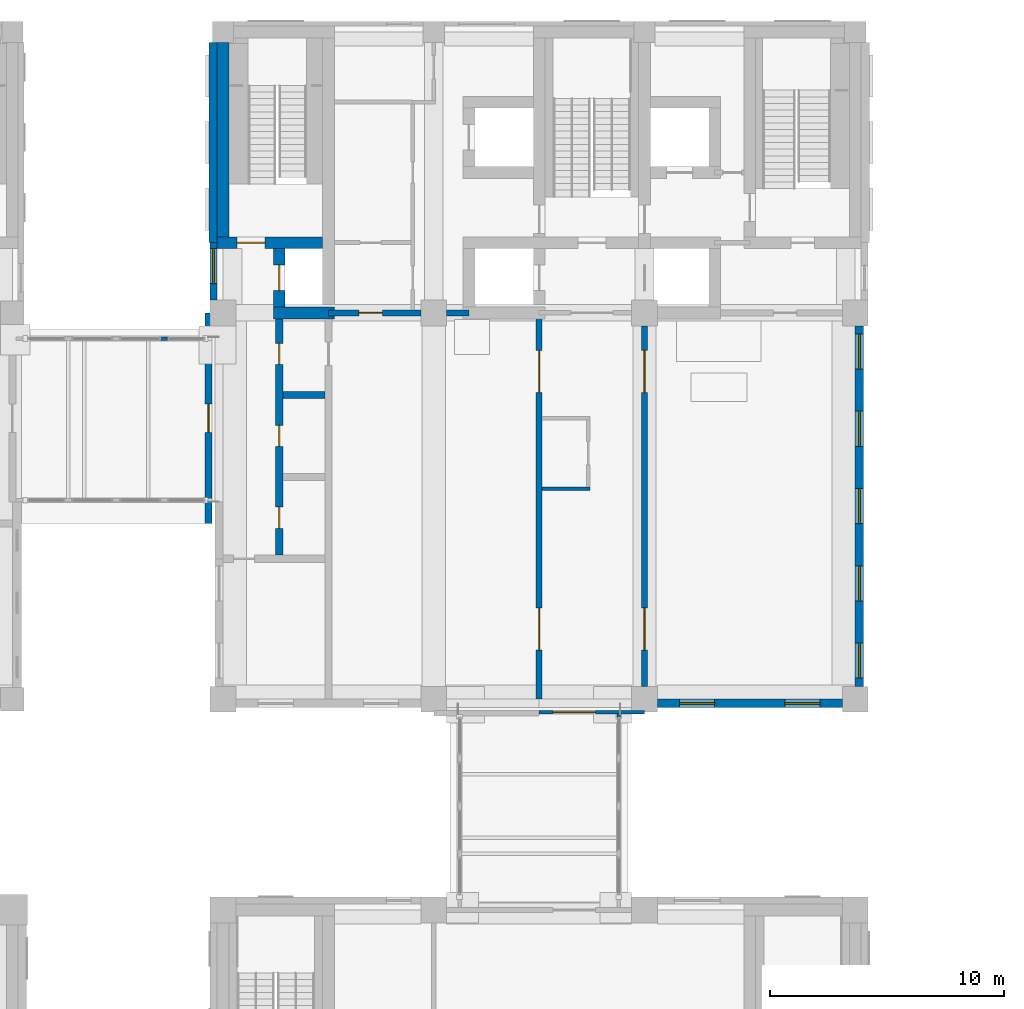
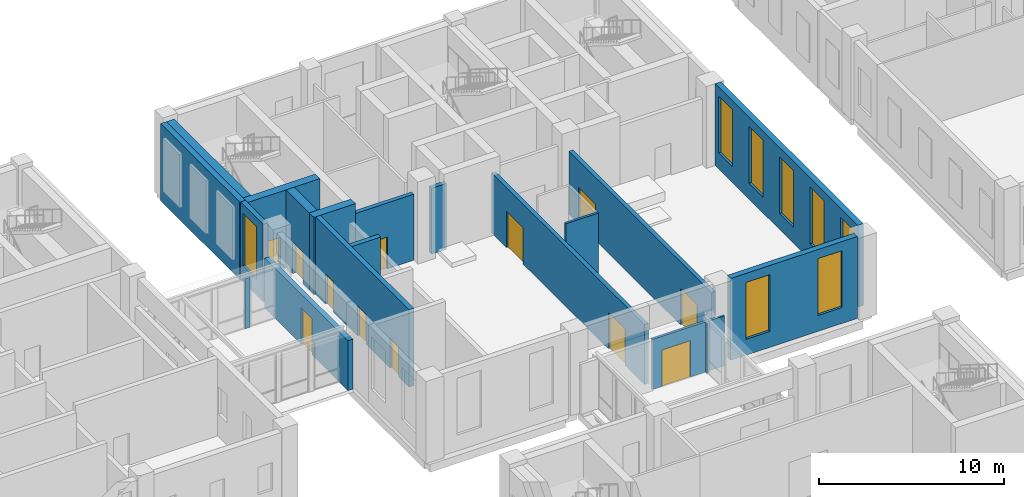
# One storey, part 33 of 52: 19 walls, 12 doors, 8 windows, 20 openings.
"""IFC4 building model written with IfcOpenShell, lengths in metres."""

import ifcopenshell
import ifcopenshell.guid

model = None  # the IFC model being written
_history = None  # IfcOwnerHistory: only IFC2X3 demands one
_inside = {}  # id of a spatial element -> (the spatial element, [elements in it])
_under = {}  # id of a project, library or spatial element -> (it, [spatial elements below it])
_declared = {}  # id of a project -> (the project, [libraries it declares])
_typed = {}  # id of a type object -> (the type object, [elements of that type])
_made_of = {}  # id of a material, layer set ... -> (it, [elements and type objects made of it])


def new_model(schema):
    """Start an empty IFC model of exactly this schema.

    Asked for "IFC4X3", IfcOpenShell would pick the latest addendum, in which some entities
    have other attributes; the version numbers below select the first issue.
    IFC2X3 requires an IfcOwnerHistory on every rooted entity: one is made here for all.
    """
    global model, _history
    if schema == "IFC4X3":
        model = ifcopenshell.file(schema_version=(4, 3, 0, 0))
    else:
        model = ifcopenshell.file(schema=schema)
    _inside.clear()
    _under.clear()
    _declared.clear()
    _typed.clear()
    _made_of.clear()
    _history = None
    if model.schema == "IFC2X3":
        org = make("IfcOrganization", Name="unknown")
        user = make(
            "IfcPersonAndOrganization",
            ThePerson=make("IfcPerson", FamilyName="unknown"),
            TheOrganization=org,
        )
        app = make(
            "IfcApplication",
            ApplicationDeveloper=org,
            Version="unknown",
            ApplicationFullName="unknown",
            ApplicationIdentifier="unknown",
        )
        _history = make(
            "IfcOwnerHistory",
            OwningUser=user,
            OwningApplication=app,
            ChangeAction="ADDED",
            CreationDate=0,
        )
    return model


def make(cls, **values):
    """One entity of the class cls with the attributes given. An attribute that is None is left unset."""
    return model.create_entity(
        cls, **{name: value for name, value in values.items() if value is not None}
    )


def rooted(cls, **values):
    """An entity with a GlobalId (a new one), such as an element, a storey or a relation."""
    return make(cls, GlobalId=ifcopenshell.guid.new(), OwnerHistory=_history, **values)


def si_unit(unit_type, name, prefix=None):
    """IfcSIUnit, for example si_unit("LENGTHUNIT", "METRE", prefix="MILLI")."""
    return make("IfcSIUnit", UnitType=unit_type, Prefix=prefix, Name=name)


def assignment(units):
    """IfcUnitAssignment: the units of a project."""
    return None if units is None else make("IfcUnitAssignment", Units=units)


def point(xyz):
    """IfcCartesianPoint."""
    return None if xyz is None else make("IfcCartesianPoint", Coordinates=xyz)


def direction(xyz):
    """IfcDirection."""
    return None if xyz is None else make("IfcDirection", DirectionRatios=xyz)


def frame(location, z_axis=None, x_axis=None):
    """IfcAxis2Placement3D, a coordinate frame: its origin and axes. An axis left out is left unset."""
    return make(
        "IfcAxis2Placement3D",
        Location=point(location),
        Axis=direction(z_axis),
        RefDirection=direction(x_axis),
    )


def frame_2d(location, x_axis=None):
    """IfcAxis2Placement2D, a coordinate frame in the plane: its origin and x axis."""
    return make(
        "IfcAxis2Placement2D", Location=point(location), RefDirection=direction(x_axis)
    )


def origin():
    """The frame at (0, 0, 0) with its axes left unset."""
    return frame((0.0, 0.0, 0.0))


def place(relative_to, where):
    """IfcLocalPlacement: puts the frame where relative to a parent placement (None: the world)."""
    return make(
        "IfcLocalPlacement", PlacementRelTo=relative_to, RelativePlacement=where
    )


def context(
    kind, dimensions, precision=None, world=None, true_north=None, identifier=None
):
    """IfcGeometricRepresentationContext, for example the 3D "Model" context."""
    return make(
        "IfcGeometricRepresentationContext",
        ContextIdentifier=identifier,
        ContextType=kind,
        CoordinateSpaceDimension=dimensions,
        Precision=precision,
        WorldCoordinateSystem=world,
        TrueNorth=true_north,
    )


def subcontext(parent, identifier, kind, view, scale=None):
    """IfcGeometricRepresentationSubContext, for example "Body" below "Model"."""
    return make(
        "IfcGeometricRepresentationSubContext",
        ContextIdentifier=identifier,
        ContextType=kind,
        ParentContext=parent,
        TargetScale=scale,
        TargetView=view,
    )


def project(units=None, contexts=None):
    """IfcProject with its units and contexts."""
    return rooted(
        "IfcProject",
        Name="project",
        RepresentationContexts=contexts,
        UnitsInContext=assignment(units),
    )


def spatial(cls, under=None, at=None, **own):
    """A site, building, storey or space (cls), placed at a placement, below another one or the project."""
    s = rooted(cls, ObjectPlacement=at, **own)
    if under is not None:
        _under.setdefault(under.id(), (under, []))[1].append(s)
    return s


def profile(cls, at=None, kind="AREA", **sizes):
    """A parametric profile (cls). Its sizes go by their IFC names, for example OverallWidth=200.0."""
    return make(cls, ProfileType=kind, Position=at, **sizes)


def rectangle(**sizes):
    """IfcRectangleProfileDef."""
    return profile("IfcRectangleProfileDef", **sizes)


def extrude(swept, where, along, depth):
    """IfcExtrudedAreaSolid: the profile swept, set in the frame where, extruded along a direction by depth."""
    return make(
        "IfcExtrudedAreaSolid",
        SweptArea=swept,
        Position=where,
        ExtrudedDirection=direction(along),
        Depth=depth,
    )


def shape(context_of_items, identifier, shape_type, items):
    """IfcShapeRepresentation: the items that make up one representation, for example the "Body"."""
    return make(
        "IfcShapeRepresentation",
        ContextOfItems=context_of_items,
        RepresentationIdentifier=identifier,
        RepresentationType=shape_type,
        Items=items,
    )


def material(Name=None, Category=None):
    """IfcMaterial."""
    return make("IfcMaterial", Name=Name, Category=Category)


def layer(
    of_material, thickness, ventilated=None, Name=None, Category=None, Priority=None
):
    """IfcMaterialLayer: one layer of a wall or slab, of a material (None: an air gap)."""
    return make(
        "IfcMaterialLayer",
        Material=of_material,
        LayerThickness=thickness,
        IsVentilated=ventilated,
        Name=Name,
        Category=Category,
        Priority=Priority,
    )


def layer_set(layers, Name=None):
    """IfcMaterialLayerSet."""
    return make("IfcMaterialLayerSet", MaterialLayers=layers, LayerSetName=Name)


def made_of(thing, what):
    """Note that an element or type object is made of a material, layer set ...; save() writes the relation."""
    if what is not None:
        _made_of.setdefault(what.id(), (what, []))[1].append(thing)
    return thing


def type_object(cls, material=None, **own):
    """A type object (cls), such as IfcWallType, which elements share."""
    return made_of(rooted(cls, **own), material)


def element(
    cls,
    number,
    at=None,
    inside=None,
    cuts=None,
    type_object=None,
    material=None,
    context=None,
    identifier="Body",
    shape_type=None,
    held_by="IfcProductDefinitionShape",
    body=None,
    shapes=None,
    **own,
):
    """One element of the class cls, such as IfcWall. Its Tag is "e" and its number.

    at: its placement. inside: the storey or other place that contains it. cuts: it is an
    opening in that element (IfcRelVoidsElement). A single representation is given by context,
    identifier, shape_type and body (its items); several are given by shapes. held_by: the class
    of the entity that holds the representations. save() writes the other relations.
    """
    e = rooted(cls, Tag="e%d" % number, ObjectPlacement=at, **own)
    if body is not None:
        shapes = [shape(context, identifier, shape_type, body)]
    if shapes is not None:
        e.Representation = make(held_by, Representations=shapes)
    if inside is not None:
        _inside.setdefault(inside.id(), (inside, []))[1].append(e)
    if cuts is not None:
        rooted(
            "IfcRelVoidsElement", RelatingBuildingElement=cuts, RelatedOpeningElement=e
        )
    if type_object is not None:
        _typed.setdefault(type_object.id(), (type_object, []))[1].append(e)
    return made_of(e, material)


def fill(opening, filler):
    """IfcRelFillsElement: the door or window that sits in an opening."""
    return rooted(
        "IfcRelFillsElement",
        RelatingOpeningElement=opening,
        RelatedBuildingElement=filler,
    )


def aggregate(whole, parts):
    """IfcRelAggregates: a whole, such as a stair, and the parts it consists of."""
    return rooted("IfcRelAggregates", RelatingObject=whole, RelatedObjects=parts)


def save(model, path):
    """Write the relations noted so far, then the file.

    IfcRelAggregates (storeys below a building ...), IfcRelContainedInSpatialStructure (elements
    in a storey), IfcRelDefinesByType, IfcRelAssociatesMaterial and IfcRelDeclares: one each for
    every whole, place, type object, material and project.
    """
    for whole, parts in _under.values():
        aggregate(whole, parts)
    for where, things in _inside.values():
        rooted(
            "IfcRelContainedInSpatialStructure",
            RelatedElements=things,
            RelatingStructure=where,
        )
    for kind, things in _typed.values():
        rooted("IfcRelDefinesByType", RelatedObjects=things, RelatingType=kind)
    for what, things in _made_of.values():
        rooted("IfcRelAssociatesMaterial", RelatedObjects=things, RelatingMaterial=what)
    for by, libraries in _declared.values():
        rooted("IfcRelDeclares", RelatingContext=by, RelatedDefinitions=libraries)
    model.write(path)


model = new_model("IFC4")

# Units and contexts
model_context = context("Model", 3, precision=1e-05, world=origin(), true_north=direction((0.0, 1.0)))
body_context = subcontext(model_context, "Body", "Model", "MODEL_VIEW")
ifc_project = project(units=[si_unit("LENGTHUNIT", "METRE"), si_unit("AREAUNIT", "SQUARE_METRE"), si_unit("VOLUMEUNIT", "CUBIC_METRE"), si_unit("PLANEANGLEUNIT", "RADIAN"), si_unit("MASSUNIT", "GRAM", prefix="KILO")], contexts=[model_context])

# Site, building, storey
site_placement = place(None, origin())
site = spatial("IfcSite", under=ifc_project, at=site_placement, CompositionType="ELEMENT")
building_placement = place(site_placement, origin())
building = spatial("IfcBuilding", under=site, at=building_placement, Name="Aurelan Courthouse", CompositionType="ELEMENT")
storey_placement = place(building_placement, frame((0.0, 0.0, 6.60009765625)))
storey = spatial("IfcBuildingStorey", under=building, at=storey_placement, Name="L01", CompositionType="ELEMENT", Elevation=6.60009765625)

# Wall, opening, door
ifc_material_1 = material(Name="Gypsum board on metal studs")
ifc_layer_1 = layer(ifc_material_1, 0.14990234375)
ifc_layer_set_1 = layer_set([ifc_layer_1], Name="Gypsum board on metal studs")
wall_type_1 = type_object("IfcWallType", Name="Corridor partition 150 EI 60", PredefinedType="PARTITIONING", material=ifc_layer_set_1)
wall_1_placement = place(storey_placement, frame((49.5, 36.949951171875, 0.0), z_axis=(0.0, 0.0, 1.0), x_axis=(1.0, 0.0, 0.0)))
wall_1 = element("IfcWall", 1, at=wall_1_placement, inside=storey, type_object=wall_type_1, Name="Corridor partition L01-029", PredefinedType="PARTITIONING", context=body_context, shape_type="SweptSolid", body=[
    extrude(rectangle(XDim=4.5, YDim=0.14990234375, at=frame_2d((2.25, 0.0))), origin(), (0.0, 0.0, 1.0), 3.2998046875),
])
opening_1_placement = place(wall_1_placement, frame((2.400146484375, 0.0, 0.0), z_axis=(0.0, 0.0, 1.0), x_axis=(-1.0, 0.0, 0.0)))
opening_1 = element("IfcOpeningElement", 2, at=opening_1_placement, cuts=wall_1, Name="Opening D-L01-121", PredefinedType="OPENING", context=body_context, shape_type="SweptSolid", body=[
    extrude(rectangle(XDim=1.800048828125, YDim=2.39990234375, at=frame_2d((0.89990234375, 1.199951171875))), frame((0.0, 0.0849609375, 0.0), z_axis=(0.0, -1.0, 0.0), x_axis=(1.0, 0.0, 0.0)), (0.0, 0.0, 1.0), 0.169921875),
])
ifc_material_2 = material(Name="Steel", Category="steel")
door_type_1 = type_object("IfcDoorType", Name="Double door 1800 x 2400 FD60", OperationType="DOUBLE_DOOR_SINGLE_SWING", PredefinedType="DOOR", material=ifc_material_2)
door_1_placement = place(opening_1_placement, origin())
door_1 = element("IfcDoor", 3, at=door_1_placement, inside=storey, type_object=door_type_1, Name="Double door D-L01-121", OperationType="DOUBLE_DOOR_SINGLE_SWING", OverallHeight=2.39990234375, OverallWidth=1.800048828125, PredefinedType="DOOR", context=body_context, shape_type="SweptSolid", body=[
    extrude(rectangle(XDim=1.800048828125, YDim=2.39990234375, at=frame_2d((0.89990234375, 1.199951171875))), frame((0.0, 0.02490234375, 0.0), z_axis=(0.0, -1.0, 0.0), x_axis=(1.0, 0.0, 0.0)), (0.0, 0.0, 1.0), 0.050048828125),
])
fill(opening_1, door_1)

# Wall
wall_2_placement = place(storey_placement, frame((49.625, 46.5, 0.0), z_axis=(0.0, 0.0, 1.0), x_axis=(1.0, 0.0, 0.0)))
element("IfcWall", 4, at=wall_2_placement, inside=storey, type_object=wall_type_1, Name="Corridor partition L01-037", PredefinedType="PARTITIONING", context=body_context, shape_type="SweptSolid", body=[
    extrude(rectangle(XDim=2.050048828125, YDim=0.14990234375, at=frame_2d((1.02490234375, 0.0))), origin(), (0.0, 0.0, 1.0), 5.099853515625),
])

# Wall, opening, window
ifc_material_3 = material(Name="Granite cladding", Category="masonry")
ifc_layer_2 = layer(ifc_material_3, 0.0849609375, Name="Facing")
ifc_material_4 = material(Name="Ventilated cavity")
ifc_layer_3 = layer(ifc_material_4, 0.02490234375, ventilated=True, Name="Ventilated cavity")
ifc_material_5 = material(Name="Mineral wool insulation")
ifc_layer_4 = layer(ifc_material_5, 0.044921875, Name="Insulation")
ifc_material_6 = material(Name="Concrete C30", Category="concrete")
ifc_layer_5 = layer(ifc_material_6, 0.14501953125, Name="Structure")
ifc_layer_set_2 = layer_set([ifc_layer_2, ifc_layer_3, ifc_layer_4, ifc_layer_5], Name="Concrete C30")
wall_type_2 = type_object("IfcWallType", Name="Courtroom Block granite-faced wall 300", PredefinedType="SOLIDWALL", material=ifc_layer_set_2)
wall_3_placement = place(storey_placement, frame((35.60009765625, 54.550048828125, 0.0), z_axis=(0.0, 0.0, 1.0), x_axis=(0.0, 1.0, 0.0)))
wall_3 = element("IfcWall", 5, at=wall_3_placement, inside=storey, type_object=wall_type_2, Name="Facade wall FW-V2-L01-011", PredefinedType="SOLIDWALL", context=body_context, shape_type="SweptSolid", body=[
    extrude(rectangle(XDim=2.449951171875, YDim=0.300048828125, at=frame_2d((1.22509765625, 0.0))), origin(), (0.0, 0.0, 1.0), 5.099853515625),
])
opening_2_placement = place(wall_3_placement, frame((0.699951171875, 0.0, 1.050048828125)))
opening_2 = element("IfcOpeningElement", 6, at=opening_2_placement, cuts=wall_3, Name="Opening WN-V2-L01-015", PredefinedType="OPENING", context=body_context, shape_type="SweptSolid", body=[
    extrude(rectangle(XDim=1.5, YDim=3.449951171875, at=frame_2d((0.75, 1.72509765625))), frame((0.0, 0.159912109375, 0.0), z_axis=(0.0, -1.0, 0.0), x_axis=(1.0, 0.0, 0.0)), (0.0, 0.0, 1.0), 0.320068359375),
])
ifc_material_7 = material(Name="Bronze-finished aluminium and glass", Category="aluminium")
window_type_1 = type_object("IfcWindowType", Name="Courtroom Block glazed slot 1500 x 3450, sill 1050", PartitioningType="SINGLE_PANEL", PredefinedType="WINDOW", material=ifc_material_7)
window_1_placement = place(opening_2_placement, origin())
window_1 = element("IfcWindow", 7, at=window_1_placement, inside=storey, type_object=window_type_1, Name="Glazed slot WN-V2-L01-015", OverallHeight=3.449951171875, OverallWidth=1.5, PartitioningType="SINGLE_PANEL", PredefinedType="WINDOW", context=body_context, shape_type="SweptSolid", body=[
    extrude(rectangle(XDim=1.5, YDim=3.449951171875, at=frame_2d((0.75, 1.72509765625))), frame((0.0, 0.030029296875, 0.0), z_axis=(0.0, -1.0, 0.0), x_axis=(1.0, 0.0, 0.0)), (0.0, 0.0, 1.0), 0.06005859375),
])
fill(opening_2, window_1)

# Wall, openings, windows
ifc_layer_6 = layer(ifc_material_3, 0.10009765625, Name="Facing")
ifc_layer_7 = layer(ifc_material_4, 0.02490234375, ventilated=True, Name="Ventilated cavity")
ifc_layer_8 = layer(ifc_material_5, 0.050048828125, Name="Insulation")
ifc_layer_9 = layer(ifc_material_6, 0.175048828125, Name="Structure")
ifc_layer_set_3 = layer_set([ifc_layer_6, ifc_layer_7, ifc_layer_8, ifc_layer_9], Name="Concrete C30")
wall_type_3 = type_object("IfcWallType", Name="Courtroom Block granite-faced wall 350", PredefinedType="SOLIDWALL", material=ifc_layer_set_3)
wall_4_placement = place(storey_placement, frame((54.550048828125, 37.324951171875, 0.0), z_axis=(0.0, 0.0, 1.0), x_axis=(1.0, 0.0, 0.0)))
wall_4 = element("IfcWall", 8, at=wall_4_placement, inside=storey, type_object=wall_type_3, Name="Facade wall FW-V2-L01-002", PredefinedType="SOLIDWALL", context=body_context, shape_type="SweptSolid", body=[
    extrude(rectangle(XDim=7.89990234375, YDim=0.35009765625, at=frame_2d((3.949951171875, 0.0))), origin(), (0.0, 0.0, 1.0), 5.39990234375),
])
opening_3_placement = place(wall_4_placement, frame((0.949951171875, 0.0, 1.050048828125)))
opening_3 = element("IfcOpeningElement", 9, at=opening_3_placement, cuts=wall_4, Name="Opening WN-V2-L01-003", PredefinedType="OPENING", context=body_context, shape_type="SweptSolid", body=[
    extrude(rectangle(XDim=1.5, YDim=3.75, at=frame_2d((0.75, 1.875))), frame((0.0, 0.18505859375, 0.0), z_axis=(0.0, -1.0, 0.0), x_axis=(1.0, 0.0, 0.0)), (0.0, 0.0, 1.0), 0.3701171875),
])
opening_4_placement = place(wall_4_placement, frame((5.449951171875, 0.0, 1.050048828125)))
opening_4 = element("IfcOpeningElement", 10, at=opening_4_placement, cuts=wall_4, Name="Opening WN-V2-L01-004", PredefinedType="OPENING", context=body_context, shape_type="SweptSolid", body=[
    extrude(rectangle(XDim=1.5, YDim=3.75, at=frame_2d((0.75, 1.875))), frame((0.0, 0.18505859375, 0.0), z_axis=(0.0, -1.0, 0.0), x_axis=(1.0, 0.0, 0.0)), (0.0, 0.0, 1.0), 0.3701171875),
])
window_type_2 = type_object("IfcWindowType", Name="Courtroom Block glazed slot 1500 x 3750, sill 1050", PartitioningType="SINGLE_PANEL", PredefinedType="WINDOW", material=ifc_material_7)
window_2_placement = place(opening_3_placement, origin())
window_2 = element("IfcWindow", 11, at=window_2_placement, inside=storey, type_object=window_type_2, Name="Glazed slot WN-V2-L01-003", OverallHeight=3.75, OverallWidth=1.5, PartitioningType="SINGLE_PANEL", PredefinedType="WINDOW", context=body_context, shape_type="SweptSolid", body=[
    extrude(rectangle(XDim=1.5, YDim=3.75, at=frame_2d((0.75, 1.875))), frame((0.0, 0.030029296875, 0.0), z_axis=(0.0, -1.0, 0.0), x_axis=(1.0, 0.0, 0.0)), (0.0, 0.0, 1.0), 0.06005859375),
])
fill(opening_3, window_2)
window_3_placement = place(opening_4_placement, origin())
window_3 = element("IfcWindow", 12, at=window_3_placement, inside=storey, type_object=window_type_2, Name="Glazed slot WN-V2-L01-004", OverallHeight=3.75, OverallWidth=1.5, PartitioningType="SINGLE_PANEL", PredefinedType="WINDOW", context=body_context, shape_type="SweptSolid", body=[
    extrude(rectangle(XDim=1.5, YDim=3.75, at=frame_2d((0.75, 1.875))), frame((0.0, 0.030029296875, 0.0), z_axis=(0.0, -1.0, 0.0), x_axis=(1.0, 0.0, 0.0)), (0.0, 0.0, 1.0), 0.06005859375),
])
fill(opening_4, window_3)

wall_5_placement = place(storey_placement, frame((63.175048828125, 38.050048828125, 0.0), z_axis=(0.0, 0.0, 1.0), x_axis=(0.0, 1.0, 0.0)))
wall_5 = element("IfcWall", 13, at=wall_5_placement, inside=storey, type_object=wall_type_3, Name="Facade wall FW-V2-L01-006", PredefinedType="SOLIDWALL", context=body_context, shape_type="SweptSolid", body=[
    extrude(rectangle(XDim=15.39990234375, YDim=0.35009765625, at=frame_2d((7.699951171875, 0.0))), origin(), (0.0, 0.0, 1.0), 5.39990234375),
])
opening_5_placement = place(wall_5_placement, frame((0.35009765625, 0.0, 1.050048828125)))
opening_5 = element("IfcOpeningElement", 14, at=opening_5_placement, cuts=wall_5, Name="Opening WN-V2-L01-007", PredefinedType="OPENING", context=body_context, shape_type="SweptSolid", body=[
    extrude(rectangle(XDim=1.5, YDim=3.75, at=frame_2d((0.75, 1.875))), frame((0.0, 0.18505859375, 0.0), z_axis=(0.0, -1.0, 0.0), x_axis=(1.0, 0.0, 0.0)), (0.0, 0.0, 1.0), 0.3701171875),
])
opening_6_placement = place(wall_5_placement, frame((3.64990234375, 0.0, 1.050048828125)))
opening_6 = element("IfcOpeningElement", 15, at=opening_6_placement, cuts=wall_5, Name="Opening WN-V2-L01-008", PredefinedType="OPENING", context=body_context, shape_type="SweptSolid", body=[
    extrude(rectangle(XDim=1.5, YDim=3.75, at=frame_2d((0.75, 1.875))), frame((0.0, 0.18505859375, 0.0), z_axis=(0.0, -1.0, 0.0), x_axis=(1.0, 0.0, 0.0)), (0.0, 0.0, 1.0), 0.3701171875),
])
opening_7_placement = place(wall_5_placement, frame((6.949951171875, 0.0, 1.050048828125)))
opening_7 = element("IfcOpeningElement", 16, at=opening_7_placement, cuts=wall_5, Name="Opening WN-V2-L01-009", PredefinedType="OPENING", context=body_context, shape_type="SweptSolid", body=[
    extrude(rectangle(XDim=1.5, YDim=3.75, at=frame_2d((0.75, 1.875))), frame((0.0, 0.18505859375, 0.0), z_axis=(0.0, -1.0, 0.0), x_axis=(1.0, 0.0, 0.0)), (0.0, 0.0, 1.0), 0.3701171875),
])
opening_8_placement = place(wall_5_placement, frame((10.25, 0.0, 1.050048828125)))
opening_8 = element("IfcOpeningElement", 17, at=opening_8_placement, cuts=wall_5, Name="Opening WN-V2-L01-010", PredefinedType="OPENING", context=body_context, shape_type="SweptSolid", body=[
    extrude(rectangle(XDim=1.5, YDim=3.75, at=frame_2d((0.75, 1.875))), frame((0.0, 0.18505859375, 0.0), z_axis=(0.0, -1.0, 0.0), x_axis=(1.0, 0.0, 0.0)), (0.0, 0.0, 1.0), 0.3701171875),
])
opening_9_placement = place(wall_5_placement, frame((13.550048828125, 0.0, 1.050048828125)))
opening_9 = element("IfcOpeningElement", 18, at=opening_9_placement, cuts=wall_5, Name="Opening WN-V2-L01-011", PredefinedType="OPENING", context=body_context, shape_type="SweptSolid", body=[
    extrude(rectangle(XDim=1.5, YDim=3.75, at=frame_2d((0.75, 1.875))), frame((0.0, 0.18505859375, 0.0), z_axis=(0.0, -1.0, 0.0), x_axis=(1.0, 0.0, 0.0)), (0.0, 0.0, 1.0), 0.3701171875),
])
window_4_placement = place(opening_5_placement, origin())
window_4 = element("IfcWindow", 19, at=window_4_placement, inside=storey, type_object=window_type_2, Name="Glazed slot WN-V2-L01-007", OverallHeight=3.75, OverallWidth=1.5, PartitioningType="SINGLE_PANEL", PredefinedType="WINDOW", context=body_context, shape_type="SweptSolid", body=[
    extrude(rectangle(XDim=1.5, YDim=3.75, at=frame_2d((0.75, 1.875))), frame((0.0, 0.030029296875, 0.0), z_axis=(0.0, -1.0, 0.0), x_axis=(1.0, 0.0, 0.0)), (0.0, 0.0, 1.0), 0.06005859375),
])
fill(opening_5, window_4)
window_5_placement = place(opening_6_placement, origin())
window_5 = element("IfcWindow", 20, at=window_5_placement, inside=storey, type_object=window_type_2, Name="Glazed slot WN-V2-L01-008", OverallHeight=3.75, OverallWidth=1.5, PartitioningType="SINGLE_PANEL", PredefinedType="WINDOW", context=body_context, shape_type="SweptSolid", body=[
    extrude(rectangle(XDim=1.5, YDim=3.75, at=frame_2d((0.75, 1.875))), frame((0.0, 0.030029296875, 0.0), z_axis=(0.0, -1.0, 0.0), x_axis=(1.0, 0.0, 0.0)), (0.0, 0.0, 1.0), 0.06005859375),
])
fill(opening_6, window_5)
window_6_placement = place(opening_7_placement, origin())
window_6 = element("IfcWindow", 21, at=window_6_placement, inside=storey, type_object=window_type_2, Name="Glazed slot WN-V2-L01-009", OverallHeight=3.75, OverallWidth=1.5, PartitioningType="SINGLE_PANEL", PredefinedType="WINDOW", context=body_context, shape_type="SweptSolid", body=[
    extrude(rectangle(XDim=1.5, YDim=3.75, at=frame_2d((0.75, 1.875))), frame((0.0, 0.030029296875, 0.0), z_axis=(0.0, -1.0, 0.0), x_axis=(1.0, 0.0, 0.0)), (0.0, 0.0, 1.0), 0.06005859375),
])
fill(opening_7, window_6)
window_7_placement = place(opening_8_placement, origin())
window_7 = element("IfcWindow", 22, at=window_7_placement, inside=storey, type_object=window_type_2, Name="Glazed slot WN-V2-L01-010", OverallHeight=3.75, OverallWidth=1.5, PartitioningType="SINGLE_PANEL", PredefinedType="WINDOW", context=body_context, shape_type="SweptSolid", body=[
    extrude(rectangle(XDim=1.5, YDim=3.75, at=frame_2d((0.75, 1.875))), frame((0.0, 0.030029296875, 0.0), z_axis=(0.0, -1.0, 0.0), x_axis=(1.0, 0.0, 0.0)), (0.0, 0.0, 1.0), 0.06005859375),
])
fill(opening_8, window_7)
window_8_placement = place(opening_9_placement, origin())
window_8 = element("IfcWindow", 23, at=window_8_placement, inside=storey, type_object=window_type_2, Name="Glazed slot WN-V2-L01-011", OverallHeight=3.75, OverallWidth=1.5, PartitioningType="SINGLE_PANEL", PredefinedType="WINDOW", context=body_context, shape_type="SweptSolid", body=[
    extrude(rectangle(XDim=1.5, YDim=3.75, at=frame_2d((0.75, 1.875))), frame((0.0, 0.030029296875, 0.0), z_axis=(0.0, -1.0, 0.0), x_axis=(1.0, 0.0, 0.0)), (0.0, 0.0, 1.0), 0.06005859375),
])
fill(opening_9, window_8)

# Wall
wall_6_placement = place(storey_placement, frame((35.574951171875, 57.0, 0.0), z_axis=(0.0, 0.0, 1.0), x_axis=(0.0, 1.0, 0.0)))
element("IfcWall", 24, at=wall_6_placement, inside=storey, type_object=wall_type_3, Name="Facade wall FW-V2-L01-012", PredefinedType="SOLIDWALL", context=body_context, shape_type="SweptSolid", body=[
    extrude(rectangle(XDim=8.550048828125, YDim=0.35009765625, at=frame_2d((4.27490234375, 0.0))), origin(), (0.0, 0.0, 1.0), 5.099853515625),
])

# Wall, opening, door
ifc_material_8 = material(Name="Masonry block", Category="masonry")
ifc_layer_10 = layer(ifc_material_8, 0.25)
ifc_layer_set_4 = layer_set([ifc_layer_10], Name="Masonry block")
wall_type_4 = type_object("IfcWallType", Name="Courtroom wall 250 EI 60", PredefinedType="PARTITIONING", material=ifc_layer_set_4)
wall_7_placement = place(storey_placement, frame((40.5, 54.0, 0.0), z_axis=(0.0, 0.0, 1.0), x_axis=(1.0, 0.0, 0.0)))
wall_7 = element("IfcWall", 25, at=wall_7_placement, inside=storey, type_object=wall_type_4, Name="Courtroom wall L01-047", PredefinedType="PARTITIONING", context=body_context, shape_type="SweptSolid", body=[
    extrude(rectangle(XDim=3.949951171875, YDim=0.25, at=frame_2d((1.97509765625, 0.0))), origin(), (0.0, 0.0, 1.0), 4.349853515625),
])
opening_10_placement = place(wall_7_placement, frame((1.300048828125, 0.0, 0.0)))
opening_10 = element("IfcOpeningElement", 26, at=opening_10_placement, cuts=wall_7, Name="Opening D-L01-035", PredefinedType="OPENING", context=body_context, shape_type="SweptSolid", body=[
    extrude(rectangle(XDim=1.0, YDim=2.10009765625, at=frame_2d((0.5, 1.050048828125))), frame((0.0, 0.135009765625, 0.0), z_axis=(0.0, -1.0, 0.0), x_axis=(1.0, 0.0, 0.0)), (0.0, 0.0, 1.0), 0.27001953125),
])
door_type_2 = type_object("IfcDoorType", Name="Single door 1000 x 2100 FD30", OperationType="SINGLE_SWING_LEFT", PredefinedType="DOOR", material=ifc_material_2)
door_2_placement = place(opening_10_placement, origin())
door_2 = element("IfcDoor", 27, at=door_2_placement, inside=storey, type_object=door_type_2, Name="Single door D-L01-035", OperationType="SINGLE_SWING_RIGHT", OverallHeight=2.10009765625, OverallWidth=1.0, PredefinedType="DOOR", context=body_context, shape_type="SweptSolid", body=[
    extrude(rectangle(XDim=1.0, YDim=2.10009765625, at=frame_2d((0.5, 1.050048828125))), frame((0.0, 0.02490234375, 0.0), z_axis=(0.0, -1.0, 0.0), x_axis=(1.0, 0.0, 0.0)), (0.0, 0.0, 1.0), 0.050048828125),
])
fill(opening_10, door_2)

# Wall
wall_8_placement = place(storey_placement, frame((45.550048828125, 54.0, 0.0), z_axis=(0.0, 0.0, 1.0), x_axis=(1.0, 0.0, 0.0)))
element("IfcWall", 28, at=wall_8_placement, inside=storey, type_object=wall_type_4, Name="Courtroom wall L01-048", PredefinedType="PARTITIONING", context=body_context, shape_type="SweptSolid", body=[
    extrude(rectangle(XDim=0.949951171875, YDim=0.25, at=frame_2d((0.47509765625, 0.0))), origin(), (0.0, 0.0, 1.0), 4.349853515625),
])

# Wall, openings, doors
wall_9_placement = place(storey_placement, frame((49.5, 37.5, 0.0), z_axis=(0.0, 0.0, 1.0), x_axis=(0.0, 1.0, 0.0)))
wall_9 = element("IfcWall", 29, at=wall_9_placement, inside=storey, type_object=wall_type_4, Name="Courtroom wall L01-097", PredefinedType="PARTITIONING", context=body_context, shape_type="SweptSolid", body=[
    extrude(rectangle(XDim=16.5, YDim=0.25, at=frame_2d((8.25, 0.0))), origin(), (0.0, 0.0, 1.0), 3.949951171875),
])
opening_11_placement = place(wall_9_placement, frame((3.900146484375, 0.0, 0.0), z_axis=(0.0, 0.0, 1.0), x_axis=(-1.0, 0.0, 0.0)))
opening_11 = element("IfcOpeningElement", 30, at=opening_11_placement, cuts=wall_9, Name="Opening D-L01-022", PredefinedType="OPENING", context=body_context, shape_type="SweptSolid", body=[
    extrude(rectangle(XDim=1.800048828125, YDim=2.39990234375, at=frame_2d((0.89990234375, 1.199951171875))), frame((0.0, 0.135009765625, 0.0), z_axis=(0.0, -1.0, 0.0), x_axis=(1.0, 0.0, 0.0)), (0.0, 0.0, 1.0), 0.27001953125),
])
opening_12_placement = place(wall_9_placement, frame((14.900146484375, 0.0, 0.0), z_axis=(0.0, 0.0, 1.0), x_axis=(-1.0, 0.0, 0.0)))
opening_12 = element("IfcOpeningElement", 31, at=opening_12_placement, cuts=wall_9, Name="Opening D-L01-024", PredefinedType="OPENING", context=body_context, shape_type="SweptSolid", body=[
    extrude(rectangle(XDim=1.800048828125, YDim=2.39990234375, at=frame_2d((0.89990234375, 1.199951171875))), frame((0.0, 0.135009765625, 0.0), z_axis=(0.0, -1.0, 0.0), x_axis=(1.0, 0.0, 0.0)), (0.0, 0.0, 1.0), 0.27001953125),
])
door_type_3 = type_object("IfcDoorType", Name="Double door 1800 x 2400 FD30", OperationType="DOUBLE_DOOR_SINGLE_SWING", PredefinedType="DOOR", material=ifc_material_2)
door_3_placement = place(opening_11_placement, origin())
door_3 = element("IfcDoor", 32, at=door_3_placement, inside=storey, type_object=door_type_3, Name="Double door D-L01-022", OperationType="DOUBLE_DOOR_SINGLE_SWING", OverallHeight=2.39990234375, OverallWidth=1.800048828125, PredefinedType="DOOR", context=body_context, shape_type="SweptSolid", body=[
    extrude(rectangle(XDim=1.800048828125, YDim=2.39990234375, at=frame_2d((0.89990234375, 1.199951171875))), frame((0.0, 0.02490234375, 0.0), z_axis=(0.0, -1.0, 0.0), x_axis=(1.0, 0.0, 0.0)), (0.0, 0.0, 1.0), 0.050048828125),
])
fill(opening_11, door_3)
door_4_placement = place(opening_12_placement, origin())
door_4 = element("IfcDoor", 33, at=door_4_placement, inside=storey, type_object=door_type_3, Name="Double door D-L01-024", OperationType="DOUBLE_DOOR_SINGLE_SWING", OverallHeight=2.39990234375, OverallWidth=1.800048828125, PredefinedType="DOOR", context=body_context, shape_type="SweptSolid", body=[
    extrude(rectangle(XDim=1.800048828125, YDim=2.39990234375, at=frame_2d((0.89990234375, 1.199951171875))), frame((0.0, 0.02490234375, 0.0), z_axis=(0.0, -1.0, 0.0), x_axis=(1.0, 0.0, 0.0)), (0.0, 0.0, 1.0), 0.050048828125),
])
fill(opening_12, door_4)

wall_10_placement = place(storey_placement, frame((54.0, 38.050048828125, 0.0), z_axis=(0.0, 0.0, 1.0), x_axis=(0.0, 1.0, 0.0)))
wall_10 = element("IfcWall", 34, at=wall_10_placement, inside=storey, type_object=wall_type_4, Name="Courtroom wall L01-099", PredefinedType="PARTITIONING", context=body_context, shape_type="SweptSolid", body=[
    extrude(rectangle(XDim=15.39990234375, YDim=0.25, at=frame_2d((7.699951171875, 0.0))), origin(), (0.0, 0.0, 1.0), 4.14990234375),
])
opening_13_placement = place(wall_10_placement, frame((1.550048828125, 0.0, 0.0)))
opening_13 = element("IfcOpeningElement", 35, at=opening_13_placement, cuts=wall_10, Name="Opening D-L01-023", PredefinedType="OPENING", context=body_context, shape_type="SweptSolid", body=[
    extrude(rectangle(XDim=1.800048828125, YDim=2.39990234375, at=frame_2d((0.89990234375, 1.199951171875))), frame((0.0, 0.135009765625, 0.0), z_axis=(0.0, -1.0, 0.0), x_axis=(1.0, 0.0, 0.0)), (0.0, 0.0, 1.0), 0.27001953125),
])
opening_14_placement = place(wall_10_placement, frame((12.550048828125, 0.0, 0.0)))
opening_14 = element("IfcOpeningElement", 36, at=opening_14_placement, cuts=wall_10, Name="Opening D-L01-025", PredefinedType="OPENING", context=body_context, shape_type="SweptSolid", body=[
    extrude(rectangle(XDim=1.800048828125, YDim=2.39990234375, at=frame_2d((0.89990234375, 1.199951171875))), frame((0.0, 0.135009765625, 0.0), z_axis=(0.0, -1.0, 0.0), x_axis=(1.0, 0.0, 0.0)), (0.0, 0.0, 1.0), 0.27001953125),
])
door_5_placement = place(opening_13_placement, origin())
door_5 = element("IfcDoor", 37, at=door_5_placement, inside=storey, type_object=door_type_3, Name="Double door D-L01-023", OperationType="DOUBLE_DOOR_SINGLE_SWING", OverallHeight=2.39990234375, OverallWidth=1.800048828125, PredefinedType="DOOR", context=body_context, shape_type="SweptSolid", body=[
    extrude(rectangle(XDim=1.800048828125, YDim=2.39990234375, at=frame_2d((0.89990234375, 1.199951171875))), frame((0.0, 0.02490234375, 0.0), z_axis=(0.0, -1.0, 0.0), x_axis=(1.0, 0.0, 0.0)), (0.0, 0.0, 1.0), 0.050048828125),
])
fill(opening_13, door_5)
door_6_placement = place(opening_14_placement, origin())
door_6 = element("IfcDoor", 38, at=door_6_placement, inside=storey, type_object=door_type_3, Name="Double door D-L01-025", OperationType="DOUBLE_DOOR_SINGLE_SWING", OverallHeight=2.39990234375, OverallWidth=1.800048828125, PredefinedType="DOOR", context=body_context, shape_type="SweptSolid", body=[
    extrude(rectangle(XDim=1.800048828125, YDim=2.39990234375, at=frame_2d((0.89990234375, 1.199951171875))), frame((0.0, 0.02490234375, 0.0), z_axis=(0.0, -1.0, 0.0), x_axis=(1.0, 0.0, 0.0)), (0.0, 0.0, 1.0), 0.050048828125),
])
fill(opening_14, door_6)

# Wall
ifc_layer_11 = layer(ifc_material_6, 0.300048828125)
ifc_layer_set_5 = layer_set([ifc_layer_11], Name="Concrete C30")
wall_type_5 = type_object("IfcWallType", Name="Custody wall 300 EI 120", PredefinedType="PARTITIONING", material=ifc_layer_set_5)
wall_11_placement = place(storey_placement, frame((38.550048828125, 50.5, 0.0), z_axis=(0.0, 0.0, 1.0), x_axis=(1.0, 0.0, 0.0)))
element("IfcWall", 39, at=wall_11_placement, inside=storey, type_object=wall_type_5, Name="Custody wall L01-043", PredefinedType="PARTITIONING", context=body_context, shape_type="SweptSolid", body=[
    extrude(rectangle(XDim=1.800048828125, YDim=0.300048828125, at=frame_2d((0.89990234375, 0.0))), origin(), (0.0, 0.0, 1.0), 5.099853515625),
])

# Wall, opening, door
wall_12_placement = place(storey_placement, frame((35.375, 45.0, 0.0), z_axis=(0.0, 0.0, 1.0), x_axis=(0.0, 1.0, 0.0)))
wall_12 = element("IfcWall", 40, at=wall_12_placement, inside=storey, type_object=wall_type_5, Name="Custody wall L01-087", PredefinedType="PARTITIONING", context=body_context, shape_type="SweptSolid", body=[
    extrude(rectangle(XDim=9.0, YDim=0.300048828125, at=frame_2d((4.5, 0.0))), origin(), (0.0, 0.0, 1.0), 3.2998046875),
])
opening_15_placement = place(wall_12_placement, frame((5.099853515625, 0.0, 0.0), z_axis=(0.0, 0.0, 1.0), x_axis=(-1.0, 0.0, 0.0)))
opening_15 = element("IfcOpeningElement", 41, at=opening_15_placement, cuts=wall_12, Name="Opening D-L01-123", PredefinedType="OPENING", context=body_context, shape_type="SweptSolid", body=[
    extrude(rectangle(XDim=1.199951171875, YDim=2.39990234375, at=frame_2d((0.60009765625, 1.199951171875))), frame((0.0, 0.159912109375, 0.0), z_axis=(0.0, -1.0, 0.0), x_axis=(1.0, 0.0, 0.0)), (0.0, 0.0, 1.0), 0.320068359375),
])
door_type_4 = type_object("IfcDoorType", Name="Double door 1200 x 2400 FD90", OperationType="DOUBLE_DOOR_SINGLE_SWING", PredefinedType="DOOR", material=ifc_material_2)
door_7_placement = place(opening_15_placement, origin())
door_7 = element("IfcDoor", 42, at=door_7_placement, inside=storey, type_object=door_type_4, Name="Double door D-L01-123", OperationType="DOUBLE_DOOR_SINGLE_SWING", OverallHeight=2.39990234375, OverallWidth=1.199951171875, PredefinedType="DOOR", context=body_context, shape_type="SweptSolid", body=[
    extrude(rectangle(XDim=1.199951171875, YDim=2.39990234375, at=frame_2d((0.60009765625, 1.199951171875))), frame((0.0, 0.02490234375, 0.0), z_axis=(0.0, -1.0, 0.0), x_axis=(1.0, 0.0, 0.0)), (0.0, 0.0, 1.0), 0.050048828125),
])
fill(opening_15, door_7)

# Wall, openings, doors
wall_13_placement = place(storey_placement, frame((38.39990234375, 43.64990234375, 0.0), z_axis=(0.0, 0.0, 1.0), x_axis=(0.0, 1.0, 0.0)))
wall_13 = element("IfcWall", 43, at=wall_13_placement, inside=storey, type_object=wall_type_5, Name="Custody wall L01-091", PredefinedType="PARTITIONING", context=body_context, shape_type="SweptSolid", body=[
    extrude(rectangle(XDim=10.35009765625, YDim=0.300048828125, at=frame_2d((5.175048828125, 0.0))), origin(), (0.0, 0.0, 1.0), 5.099853515625),
])
opening_16_placement = place(wall_13_placement, frame((2.0498046875, 0.0, 0.0), z_axis=(0.0, 0.0, 1.0), x_axis=(-1.0, 0.0, 0.0)))
opening_16 = element("IfcOpeningElement", 44, at=opening_16_placement, cuts=wall_13, Name="Opening D-L01-027", PredefinedType="OPENING", context=body_context, shape_type="SweptSolid", body=[
    extrude(rectangle(XDim=0.89990234375, YDim=2.0, at=frame_2d((0.449951171875, 1.0))), frame((0.0, 0.159912109375, 0.0), z_axis=(0.0, -1.0, 0.0), x_axis=(1.0, 0.0, 0.0)), (0.0, 0.0, 1.0), 0.320068359375),
])
opening_17_placement = place(wall_13_placement, frame((5.5498046875, 0.0, 0.0), z_axis=(0.0, 0.0, 1.0), x_axis=(-1.0, 0.0, 0.0)))
opening_17 = element("IfcOpeningElement", 45, at=opening_17_placement, cuts=wall_13, Name="Opening D-L01-028", PredefinedType="OPENING", context=body_context, shape_type="SweptSolid", body=[
    extrude(rectangle(XDim=0.89990234375, YDim=2.0, at=frame_2d((0.449951171875, 1.0))), frame((0.0, 0.159912109375, 0.0), z_axis=(0.0, -1.0, 0.0), x_axis=(1.0, 0.0, 0.0)), (0.0, 0.0, 1.0), 0.320068359375),
])
opening_18_placement = place(wall_13_placement, frame((9.0498046875, 0.0, 0.0), z_axis=(0.0, 0.0, 1.0), x_axis=(-1.0, 0.0, 0.0)))
opening_18 = element("IfcOpeningElement", 46, at=opening_18_placement, cuts=wall_13, Name="Opening D-L01-029", PredefinedType="OPENING", context=body_context, shape_type="SweptSolid", body=[
    extrude(rectangle(XDim=0.89990234375, YDim=2.0, at=frame_2d((0.449951171875, 1.0))), frame((0.0, 0.159912109375, 0.0), z_axis=(0.0, -1.0, 0.0), x_axis=(1.0, 0.0, 0.0)), (0.0, 0.0, 1.0), 0.320068359375),
])
door_type_5 = type_object("IfcDoorType", Name="Single door 900 x 2000 FD90", OperationType="SINGLE_SWING_LEFT", PredefinedType="DOOR", material=ifc_material_2)
door_8_placement = place(opening_16_placement, origin())
door_8 = element("IfcDoor", 47, at=door_8_placement, inside=storey, type_object=door_type_5, Name="Single door D-L01-027", OperationType="SINGLE_SWING_LEFT", OverallHeight=2.0, OverallWidth=0.89990234375, PredefinedType="DOOR", context=body_context, shape_type="SweptSolid", body=[
    extrude(rectangle(XDim=0.89990234375, YDim=2.0, at=frame_2d((0.449951171875, 1.0))), frame((0.0, 0.02490234375, 0.0), z_axis=(0.0, -1.0, 0.0), x_axis=(1.0, 0.0, 0.0)), (0.0, 0.0, 1.0), 0.050048828125),
])
fill(opening_16, door_8)
door_9_placement = place(opening_17_placement, origin())
door_9 = element("IfcDoor", 48, at=door_9_placement, inside=storey, type_object=door_type_5, Name="Single door D-L01-028", OperationType="SINGLE_SWING_RIGHT", OverallHeight=2.0, OverallWidth=0.89990234375, PredefinedType="DOOR", context=body_context, shape_type="SweptSolid", body=[
    extrude(rectangle(XDim=0.89990234375, YDim=2.0, at=frame_2d((0.449951171875, 1.0))), frame((0.0, 0.02490234375, 0.0), z_axis=(0.0, -1.0, 0.0), x_axis=(1.0, 0.0, 0.0)), (0.0, 0.0, 1.0), 0.050048828125),
])
fill(opening_17, door_9)
door_10_placement = place(opening_18_placement, origin())
door_10 = element("IfcDoor", 49, at=door_10_placement, inside=storey, type_object=door_type_5, Name="Single door D-L01-029", OperationType="SINGLE_SWING_LEFT", OverallHeight=2.0, OverallWidth=0.89990234375, PredefinedType="DOOR", context=body_context, shape_type="SweptSolid", body=[
    extrude(rectangle(XDim=0.89990234375, YDim=2.0, at=frame_2d((0.449951171875, 1.0))), frame((0.0, 0.02490234375, 0.0), z_axis=(0.0, -1.0, 0.0), x_axis=(1.0, 0.0, 0.0)), (0.0, 0.0, 1.0), 0.050048828125),
])
fill(opening_18, door_10)

# Walls
ifc_material_9 = material(Name="Concrete C40", Category="concrete")
ifc_layer_12 = layer(ifc_material_9, 0.14990234375)
ifc_layer_set_6 = layer_set([ifc_layer_12], Name="Concrete C40")
wall_type_6 = type_object("IfcWallType", Name="Passage end pier 150 x 150 x 3300", PredefinedType="SOLIDWALL", material=ifc_layer_set_6)
wall_14_placement = place(storey_placement, frame((52.89990234375, 36.72509765625, 0.0), z_axis=(0.0, 0.0, 1.0), x_axis=(0.0, 1.0, 0.0)))
element("IfcWall", 50, at=wall_14_placement, inside=storey, type_object=wall_type_6, Name="Passage pier BR3-P10", PredefinedType="SOLIDWALL", context=body_context, shape_type="SweptSolid", body=[
    extrude(rectangle(XDim=0.14990234375, YDim=0.14990234375, at=frame_2d((0.074951171875, 0.0))), origin(), (0.0, 0.0, 1.0), 3.2998046875),
])
ifc_layer_13 = layer(ifc_material_9, 0.14990234375)
ifc_layer_set_7 = layer_set([ifc_layer_13], Name="Concrete C40")
wall_type_7 = type_object("IfcWallType", Name="Passage pier 150 x 300 x 3300", PredefinedType="SOLIDWALL", material=ifc_layer_set_7)
wall_15_placement = place(storey_placement, frame((33.331298828125, 52.89990234375, 0.0), z_axis=(0.0, 0.0, 1.0), x_axis=(1.0, 0.0, 0.0)))
element("IfcWall", 51, at=wall_15_placement, inside=storey, type_object=wall_type_7, Name="Passage pier BR4-P09", PredefinedType="SOLIDWALL", context=body_context, shape_type="SweptSolid", body=[
    extrude(rectangle(XDim=0.300048828125, YDim=0.14990234375, at=frame_2d((0.14990234375, 0.0))), origin(), (0.0, 0.0, 1.0), 3.2998046875),
])
ifc_material_10 = material(Name="Concrete C50", Category="concrete")
ifc_layer_14 = layer(ifc_material_10, 0.5)
ifc_layer_set_8 = layer_set([ifc_layer_14], Name="Concrete C50")
wall_type_8 = type_object("IfcWallType", Name="RC shear wall 500", PredefinedType="SHEAR", material=ifc_layer_set_8)
wall_16_placement = place(storey_placement, frame((38.14990234375, 54.0, 0.0), z_axis=(0.0, 0.0, 1.0), x_axis=(1.0, 0.0, 0.0)))
element("IfcWall", 52, at=wall_16_placement, inside=storey, type_object=wall_type_8, Name="Core wall SW-L01-038", PredefinedType="SHEAR", context=body_context, shape_type="SweptSolid", body=[
    extrude(rectangle(XDim=2.60009765625, YDim=0.5, at=frame_2d((1.300048828125, 0.0))), origin(), (0.0, 0.0, 1.0), 5.099853515625),
])

# Wall, opening, door
wall_17_placement = place(storey_placement, frame((38.39990234375, 54.25, 0.0), z_axis=(0.0, 0.0, 1.0), x_axis=(0.0, 1.0, 0.0)))
wall_17 = element("IfcWall", 53, at=wall_17_placement, inside=storey, type_object=wall_type_8, Name="Core wall SW-L01-041", PredefinedType="SHEAR", context=body_context, shape_type="SweptSolid", body=[
    extrude(rectangle(XDim=2.5, YDim=0.5, at=frame_2d((1.25, 0.0))), origin(), (0.0, 0.0, 1.0), 5.099853515625),
])
opening_19_placement = place(wall_17_placement, frame((0.699951171875, 0.0, 0.0)))
opening_19 = element("IfcOpeningElement", 54, at=opening_19_placement, cuts=wall_17, Name="Opening LD-V2-C1-L01", PredefinedType="OPENING", context=body_context, shape_type="SweptSolid", body=[
    extrude(rectangle(XDim=1.10009765625, YDim=2.10009765625, at=frame_2d((0.550048828125, 1.050048828125))), frame((0.0, 0.260009765625, 0.0), z_axis=(0.0, -1.0, 0.0), x_axis=(1.0, 0.0, 0.0)), (0.0, 0.0, 1.0), 0.52001953125),
])
door_type_6 = type_object("IfcDoorType", Name="Lift landing door 1100 x 2100 FD90", OperationType="SLIDING_TO_LEFT", PredefinedType="DOOR", material=ifc_material_2)
door_11_placement = place(opening_19_placement, origin())
door_11 = element("IfcDoor", 55, at=door_11_placement, inside=storey, type_object=door_type_6, Name="Lift landing door LD-V2-C1-L01", OperationType="SLIDING_TO_LEFT", OverallHeight=2.10009765625, OverallWidth=1.10009765625, PredefinedType="DOOR", context=body_context, shape_type="SweptSolid", body=[
    extrude(rectangle(XDim=1.10009765625, YDim=2.10009765625, at=frame_2d((0.550048828125, 1.050048828125))), frame((0.0, 0.02490234375, 0.0), z_axis=(0.0, -1.0, 0.0), x_axis=(1.0, 0.0, 0.0)), (0.0, 0.0, 1.0), 0.050048828125),
])
fill(opening_19, door_11)

wall_18_placement = place(storey_placement, frame((35.75, 57.0, 0.0), z_axis=(0.0, 0.0, 1.0), x_axis=(1.0, 0.0, 0.0)))
wall_18 = element("IfcWall", 56, at=wall_18_placement, inside=storey, type_object=wall_type_8, Name="Core wall SW-L01-049", PredefinedType="SHEAR", context=body_context, shape_type="SweptSolid", body=[
    extrude(rectangle(XDim=4.5, YDim=0.5, at=frame_2d((2.25, 0.0))), origin(), (0.0, 0.0, 1.0), 5.099853515625),
])
opening_20_placement = place(wall_18_placement, frame((0.85009765625, 0.0, 0.0)))
opening_20 = element("IfcOpeningElement", 57, at=opening_20_placement, cuts=wall_18, Name="Opening D-L01-010", PredefinedType="OPENING", context=body_context, shape_type="SweptSolid", body=[
    extrude(rectangle(XDim=1.199951171875, YDim=2.10009765625, at=frame_2d((0.60009765625, 1.050048828125))), frame((0.0, 0.260009765625, 0.0), z_axis=(0.0, -1.0, 0.0), x_axis=(1.0, 0.0, 0.0)), (0.0, 0.0, 1.0), 0.52001953125),
])
door_type_7 = type_object("IfcDoorType", Name="Single door 1200 x 2100 FD90", OperationType="SINGLE_SWING_LEFT", PredefinedType="DOOR", material=ifc_material_2)
door_12_placement = place(opening_20_placement, origin())
door_12 = element("IfcDoor", 58, at=door_12_placement, inside=storey, type_object=door_type_7, Name="Single door D-L01-010", OperationType="SINGLE_SWING_LEFT", OverallHeight=2.10009765625, OverallWidth=1.199951171875, PredefinedType="DOOR", context=body_context, shape_type="SweptSolid", body=[
    extrude(rectangle(XDim=1.199951171875, YDim=2.10009765625, at=frame_2d((0.60009765625, 1.050048828125))), frame((0.0, 0.02490234375, 0.0), z_axis=(0.0, -1.0, 0.0), x_axis=(1.0, 0.0, 0.0)), (0.0, 0.0, 1.0), 0.050048828125),
])
fill(opening_20, door_12)

# Wall
wall_19_placement = place(storey_placement, frame((36.0, 57.25, 0.0), z_axis=(0.0, 0.0, 1.0), x_axis=(0.0, 1.0, 0.0)))
element("IfcWall", 59, at=wall_19_placement, inside=storey, type_object=wall_type_8, Name="Core wall SW-L01-060", PredefinedType="SHEAR", context=body_context, shape_type="SweptSolid", body=[
    extrude(rectangle(XDim=8.300048828125, YDim=0.5, at=frame_2d((4.14990234375, 0.0))), origin(), (0.0, 0.0, 1.0), 5.099853515625),
])

save(model, "model.ifc")
